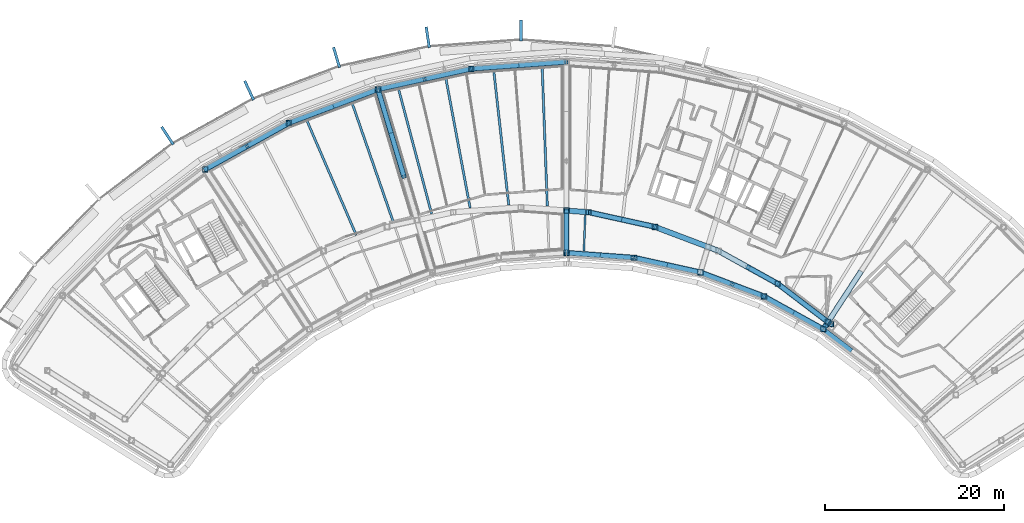
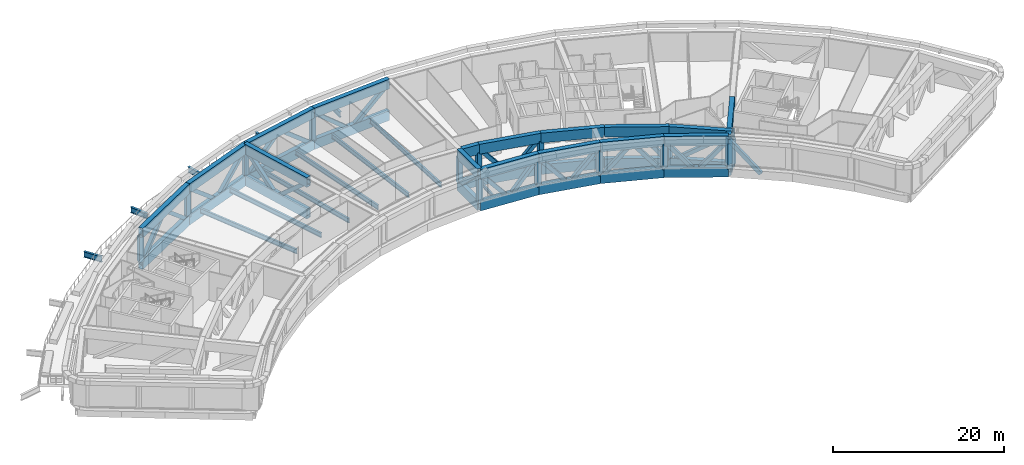
# One storey, part 3 of 24: 44 beams, 41 members.
"""IFC4 building model written with IfcOpenShell, lengths in metres."""

from ifc_helpers import new_model, si_unit, direction, frame, origin, origin_2d, place, context, subcontext, project, spatial, hollow_rectangle, i_section, extrude, material, material_profile, profile_set, type_object, element, save


model = new_model("IFC4")

# Units and contexts
model_context = context("Model", 3, precision=1e-05, world=origin(), true_north=direction((0.0, 1.0)))
body_context = subcontext(model_context, "Body", "Model", "MODEL_VIEW")
ifc_project = project(units=[si_unit("LENGTHUNIT", "METRE"), si_unit("AREAUNIT", "SQUARE_METRE"), si_unit("VOLUMEUNIT", "CUBIC_METRE"), si_unit("PLANEANGLEUNIT", "RADIAN"), si_unit("MASSUNIT", "GRAM", prefix="KILO")], contexts=[model_context])

# Site, building, storey
site_placement = place(None, origin())
site = spatial("IfcSite", under=ifc_project, at=site_placement, CompositionType="ELEMENT")
building_placement = place(site_placement, origin())
building = spatial("IfcBuilding", under=site, at=building_placement, Name="Tuul Gate Civic Tower", CompositionType="ELEMENT")
storey_placement = place(building_placement, frame((0.0, 0.0, 243.89990234375)))
storey = spatial("IfcBuildingStorey", under=building, at=storey_placement, Name="Plant and refuge floor 6", CompositionType="ELEMENT", Elevation=243.89990234375)

# Beams
ifc_material_1 = material(Name="Steel S355", Category="steel")
ifc_material_profile_1 = material_profile(ifc_material_1, i_section(OverallWidth=0.199951171875, OverallDepth=0.5, WebThickness=0.010009765625, FlangeThickness=0.01611328125, at=origin_2d()), Name="PG500x200x10x16")
ifc_profile_set_1 = profile_set([ifc_material_profile_1], Name="Steel S355")
beam_type_1 = type_object("IfcBeamType", Name="STR-FLOOR BEAM-PG500x200x10x16", PredefinedType="BEAM", material=ifc_profile_set_1)
beam_1_placement = place(storey_placement, frame((12.98388671875, -7.67236328125, -0.64990234375), z_axis=(0.036991407906, 0.999315583658, 0.0), x_axis=(-0.999315583658, 0.036991407906, 0.0)))
element("IfcBeam", 1, at=beam_1_placement, inside=storey, type_object=beam_type_1, Name="Floor beam", PredefinedType="BEAM", context=body_context, shape_type="SweptSolid", body=[
    extrude(i_section(OverallWidth=0.199951171875, OverallDepth=0.5, WebThickness=0.010009765625, FlangeThickness=0.01611328125, at=origin_2d()), origin(), (0.0, 0.0, 1.0), 4.0126953125),
])
ifc_material_2 = material(Name="Steel S355", Category="steel")
ifc_material_profile_2 = material_profile(ifc_material_2, i_section(OverallWidth=0.25, OverallDepth=0.64990234375, WebThickness=0.011962890625, FlangeThickness=0.02001953125, at=origin_2d()), Name="PG650x250x12x20")
ifc_profile_set_2 = profile_set([ifc_material_profile_2], Name="Steel S355")
beam_type_2 = type_object("IfcBeamType", Name="STR-FLOOR BEAM-PG650x250x12x20", PredefinedType="BEAM", material=ifc_profile_set_2)
beam_2_placement = place(storey_placement, frame((8.89208984375, -2.653076171875, -0.724853515625), z_axis=(-0.036988492548, 0.99931569157, 0.0), x_axis=(-0.99931569157, -0.036988492548, 0.0)))
element("IfcBeam", 2, at=beam_2_placement, inside=storey, type_object=beam_type_2, Name="Floor beam", PredefinedType="BEAM", context=body_context, shape_type="SweptSolid", body=[
    extrude(i_section(OverallWidth=0.25, OverallDepth=0.64990234375, WebThickness=0.011962890625, FlangeThickness=0.02001953125, at=origin_2d()), origin(), (0.0, 0.0, 1.0), 15.59033203125),
])
beam_3_placement = place(storey_placement, frame((4.578125, -2.537841796875, -0.724853515625), z_axis=(-0.11079020237, 0.99384381623, 0.0), x_axis=(-0.99384381623, -0.11079020237, 0.0)))
element("IfcBeam", 3, at=beam_3_placement, inside=storey, type_object=beam_type_2, Name="Floor beam", PredefinedType="BEAM", context=body_context, shape_type="SweptSolid", body=[
    extrude(i_section(OverallWidth=0.25, OverallDepth=0.64990234375, WebThickness=0.011962890625, FlangeThickness=0.02001953125, at=origin_2d()), origin(), (0.0, 0.0, 1.0), 15.165283203125),
])
beam_4_placement = place(storey_placement, frame((0.255126953125, -2.851318359375, -0.724853515625), z_axis=(-0.183977205779, 0.982930510135, 0.0), x_axis=(-0.982930510135, -0.183977205779, 0.0)))
element("IfcBeam", 4, at=beam_4_placement, inside=storey, type_object=beam_type_2, Name="Floor beam", PredefinedType="BEAM", context=body_context, shape_type="SweptSolid", body=[
    extrude(i_section(OverallWidth=0.25, OverallDepth=0.64990234375, WebThickness=0.011962890625, FlangeThickness=0.02001953125, at=origin_2d()), origin(), (0.0, 0.0, 1.0), 14.820068359375),
])
beam_5_placement = place(storey_placement, frame((-4.050048828125, -3.513427734375, -0.724853515625), z_axis=(-0.256148593325, 0.966637418135, 0.0), x_axis=(-0.966637418135, -0.256148593325, 0.0)))
element("IfcBeam", 5, at=beam_5_placement, inside=storey, type_object=beam_type_2, Name="Floor beam", PredefinedType="BEAM", context=body_context, shape_type="SweptSolid", body=[
    extrude(i_section(OverallWidth=0.25, OverallDepth=0.64990234375, WebThickness=0.011962890625, FlangeThickness=0.02001953125, at=origin_2d()), origin(), (0.0, 0.0, 1.0), 14.545654296875),
])
beam_6_placement = place(storey_placement, frame((-8.330322265625, -4.456787109375, -0.724853515625), z_axis=(-0.32692229075, 0.945051223908, 0.0), x_axis=(-0.945051223908, -0.32692229075, 0.0)))
element("IfcBeam", 6, at=beam_6_placement, inside=storey, type_object=beam_type_2, Name="Floor beam", PredefinedType="BEAM", context=body_context, shape_type="SweptSolid", body=[
    extrude(i_section(OverallWidth=0.25, OverallDepth=0.64990234375, WebThickness=0.011962890625, FlangeThickness=0.02001953125, at=origin_2d()), origin(), (0.0, 0.0, 1.0), 14.16357421875),
])
beam_7_placement = place(storey_placement, frame((-12.478271484375, -5.896728515625, -0.724853515625), z_axis=(-0.395910438174, 0.918289129275, 0.0), x_axis=(-0.918289129275, -0.395910438174, 0.0)))
element("IfcBeam", 7, at=beam_7_placement, inside=storey, type_object=beam_type_2, Name="Floor beam", PredefinedType="BEAM", context=body_context, shape_type="SweptSolid", body=[
    extrude(i_section(OverallWidth=0.25, OverallDepth=0.64990234375, WebThickness=0.011962890625, FlangeThickness=0.02001953125, at=origin_2d()), origin(), (0.0, 0.0, 1.0), 14.0517578125),
])
ifc_material_3 = material(Name="Steel S355", Category="steel")
ifc_material_profile_3 = material_profile(ifc_material_3, i_section(OverallWidth=0.300048828125, OverallDepth=0.800048828125, WebThickness=0.013916015625, FlangeThickness=0.02490234375, at=origin_2d()), Name="PG800x300x14x25")
ifc_profile_set_3 = profile_set([ifc_material_profile_3], Name="Steel S355")
beam_type_3 = type_object("IfcBeamType", Name="STR-FLOOR BEAM-PG800x300x14x25", PredefinedType="BEAM", material=ifc_profile_set_3)
beam_8_placement = place(storey_placement, frame((5.93994140625, 18.1650390625, -0.7998046875), z_axis=(0.0, -1.0, 0.0), x_axis=(1.0, 0.0, 0.0)))
element("IfcBeam", 8, at=beam_8_placement, inside=storey, type_object=beam_type_3, Name="Terrace beam", PredefinedType="BEAM", context=body_context, shape_type="SweptSolid", body=[
    extrude(i_section(OverallWidth=0.300048828125, OverallDepth=0.800048828125, WebThickness=0.013916015625, FlangeThickness=0.02490234375, at=origin_2d()), origin(), (0.0, 0.0, 1.0), 2.35595703125),
])
beam_9_placement = place(storey_placement, frame((-4.65234375, 17.398193359375, -0.7998046875), z_axis=(0.144104009925, -0.989562546949, 0.0), x_axis=(0.989562546949, 0.144104009925, 0.0)))
element("IfcBeam", 9, at=beam_9_placement, inside=storey, type_object=beam_type_3, Name="Terrace beam", PredefinedType="BEAM", context=body_context, shape_type="SweptSolid", body=[
    extrude(i_section(OverallWidth=0.300048828125, OverallDepth=0.800048828125, WebThickness=0.013916015625, FlangeThickness=0.02490234375, at=origin_2d()), origin(), (0.0, 0.0, 1.0), 2.356689453125),
])
beam_10_placement = place(storey_placement, frame((-15.02294921875, 15.112548828125, -0.7998046875), z_axis=(0.285474561583, -0.958386286781, 0.0), x_axis=(0.958386286781, 0.285474561583, 0.0)))
element("IfcBeam", 10, at=beam_10_placement, inside=storey, type_object=beam_type_3, Name="Terrace beam", PredefinedType="BEAM", context=body_context, shape_type="SweptSolid", body=[
    extrude(i_section(OverallWidth=0.300048828125, OverallDepth=0.800048828125, WebThickness=0.013916015625, FlangeThickness=0.02490234375, at=origin_2d()), origin(), (0.0, 0.0, 1.0), 2.356201171875),
])
beam_11_placement = place(storey_placement, frame((-24.955810546875, 11.35595703125, -0.7998046875), z_axis=(0.420496373115, -0.907294219202, 0.0), x_axis=(0.907294219202, 0.420496373115, 0.0)))
element("IfcBeam", 11, at=beam_11_placement, inside=storey, type_object=beam_type_3, Name="Terrace beam", PredefinedType="BEAM", context=body_context, shape_type="SweptSolid", body=[
    extrude(i_section(OverallWidth=0.300048828125, OverallDepth=0.800048828125, WebThickness=0.013916015625, FlangeThickness=0.02490234375, at=origin_2d()), origin(), (0.0, 0.0, 1.0), 2.356689453125),
])
beam_12_placement = place(storey_placement, frame((-34.244384765625, 6.2080078125, -0.7998046875), z_axis=(0.546713306293, -0.837319867626, 0.0), x_axis=(0.837319867626, 0.546713306293, 0.0)))
element("IfcBeam", 12, at=beam_12_placement, inside=storey, type_object=beam_type_3, Name="Terrace beam", PredefinedType="BEAM", context=body_context, shape_type="SweptSolid", body=[
    extrude(i_section(OverallWidth=0.300048828125, OverallDepth=0.800048828125, WebThickness=0.013916015625, FlangeThickness=0.02490234375, at=origin_2d()), origin(), (0.0, 0.0, 1.0), 2.3564453125),
])
ifc_material_4 = material(Name="Steel S460", Category="steel")
ifc_material_profile_4 = material_profile(ifc_material_4, hollow_rectangle(XDim=0.60009765625, YDim=1.39990234375, WallThickness=0.031982421875, at=origin_2d()), Name="BOX1400x600x32")
ifc_profile_set_4 = profile_set([ifc_material_profile_4], Name="Steel S460")
beam_type_4 = type_object("IfcBeamType", Name="STR-TRANSFER TRUSS CHORD-BOX1400x600x32", PredefinedType="BEAM", material=ifc_profile_set_4)
for number, where, z_axis, x_axis, name in (
    (13, (44.002197265625, -9.928466796875, -1.099853515625), (-0.546722323717, -0.837313979789, 0.0), (0.837313979789, -0.546722323717, 0.0), "Radial truss bottom chord"),
    (14, (44.002197265625, -9.928466796875, 3.400146484375), (-0.546722323717, -0.837313979789, 0.0), (0.837313979789, -0.546722323717, 0.0), "Radial truss top chord"),
):
    element("IfcBeam", number, at=place(storey_placement, frame(where, z_axis=z_axis, x_axis=x_axis)), inside=storey, type_object=beam_type_4, Name=name, PredefinedType="BEAM", context=body_context, shape_type="SweptSolid", body=[
        extrude(hollow_rectangle(XDim=0.60009765625, YDim=1.39990234375, WallThickness=0.031982421875, at=origin_2d()), origin(), (0.0, 0.0, 1.0), 7.7646484375),
    ])
for number, where, z_axis, x_axis, name in (
    (15, (-10.0458984375, 10.405029296875, -1.099853515625), (0.285193544802, -0.958469948409, 0.0), (0.958469948409, 0.285193544802, 0.0), "Radial truss bottom chord"),
    (16, (-10.0458984375, 10.405029296875, 3.400146484375), (0.285193544802, -0.958469948409, 0.0), (0.958469948409, 0.285193544802, 0.0), "Radial truss top chord"),
):
    element("IfcBeam", number, at=place(storey_placement, frame(where, z_axis=z_axis, x_axis=x_axis)), inside=storey, type_object=beam_type_4, Name=name, PredefinedType="BEAM", context=body_context, shape_type="SweptSolid", body=[
        extrude(hollow_rectangle(XDim=0.60009765625, YDim=1.39990234375, WallThickness=0.031982421875, at=origin_2d()), origin(), (0.0, 0.0, 1.0), 10.181884765625),
    ])
for number, where, z_axis, x_axis, name in (
    (17, (11.031005859375, -3.1591796875, -1.099853515625), (0.0, -1.0, 0.0), (1.0, 0.0, 0.0), "Radial truss bottom chord"),
    (18, (11.031005859375, -3.1591796875, 3.400146484375), (0.0, -1.0, 0.0), (1.0, 0.0, 0.0), "Radial truss top chord"),
):
    element("IfcBeam", number, at=place(storey_placement, frame(where, z_axis=z_axis, x_axis=x_axis)), inside=storey, type_object=beam_type_4, Name=name, PredefinedType="BEAM", context=body_context, shape_type="SweptSolid", body=[
        extrude(hollow_rectangle(XDim=0.60009765625, YDim=1.39990234375, WallThickness=0.031982421875, at=origin_2d()), origin(), (0.0, 0.0, 1.0), 4.722900390625),
    ])
for number, where, z_axis, x_axis, name in (
    (19, (11.031005859375, 13.47412109375, -1.099853515625), (-0.99738811518, -0.072228441058, 0.0), (0.072228441058, -0.99738811518, 0.0), "Belt truss bottom chord"),
    (20, (11.031005859375, 13.47412109375, 3.400146484375), (-0.99738811518, -0.072228441058, 0.0), (0.072228441058, -0.99738811518, 0.0), "Belt truss top chord"),
):
    element("IfcBeam", number, at=place(storey_placement, frame(where, z_axis=z_axis, x_axis=x_axis)), inside=storey, type_object=beam_type_4, Name=name, PredefinedType="BEAM", context=body_context, shape_type="SweptSolid", body=[
        extrude(hollow_rectangle(XDim=0.60009765625, YDim=1.39990234375, WallThickness=0.031982421875, at=origin_2d()), origin(), (0.0, 0.0, 1.0), 10.677734375),
    ])
for number, where, z_axis, x_axis, name in (
    (21, (-10.0458984375, 10.405029296875, -1.099853515625), (-0.935341677357, -0.353745595873, 0.0), (0.353745595873, -0.935341677357, 0.0), "Belt truss bottom chord"),
    (22, (-10.0458984375, 10.405029296875, 3.400146484375), (-0.935341677357, -0.353745595873, 0.0), (0.353745595873, -0.935341677357, 0.0), "Belt truss top chord"),
):
    element("IfcBeam", number, at=place(storey_placement, frame(where, z_axis=z_axis, x_axis=x_axis)), inside=storey, type_object=beam_type_4, Name=name, PredefinedType="BEAM", context=body_context, shape_type="SweptSolid", body=[
        extrude(hollow_rectangle(XDim=0.60009765625, YDim=1.39990234375, WallThickness=0.031982421875, at=origin_2d()), origin(), (0.0, 0.0, 1.0), 10.677490234375),
    ])
for number, where, z_axis, x_axis, name in (
    (23, (0.381103515625, 12.702880859375, -1.099853515625), (-0.976567537007, -0.215211165288, 0.0), (0.215211165288, -0.976567537007, 0.0), "Belt truss bottom chord"),
    (24, (0.381103515625, 12.702880859375, 3.400146484375), (-0.976567537007, -0.215211165288, 0.0), (0.215211165288, -0.976567537007, 0.0), "Belt truss top chord"),
):
    element("IfcBeam", number, at=place(storey_placement, frame(where, z_axis=z_axis, x_axis=x_axis)), inside=storey, type_object=beam_type_4, Name=name, PredefinedType="BEAM", context=body_context, shape_type="SweptSolid", body=[
        extrude(hollow_rectangle(XDim=0.60009765625, YDim=1.39990234375, WallThickness=0.031982421875, at=origin_2d()), origin(), (0.0, 0.0, 1.0), 10.67724609375),
    ])
for number, where, z_axis, x_axis, name in (
    (25, (-20.032958984375, 6.6279296875, -1.099853515625), (-0.874627142999, -0.484796205358, 0.0), (0.484796205358, -0.874627142999, 0.0), "Belt truss bottom chord"),
    (26, (-20.032958984375, 6.6279296875, 3.400146484375), (-0.874627142999, -0.484796205358, 0.0), (0.484796205358, -0.874627142999, 0.0), "Belt truss top chord"),
):
    element("IfcBeam", number, at=place(storey_placement, frame(where, z_axis=z_axis, x_axis=x_axis)), inside=storey, type_object=beam_type_4, Name=name, PredefinedType="BEAM", context=body_context, shape_type="SweptSolid", body=[
        extrude(hollow_rectangle(XDim=0.60009765625, YDim=1.39990234375, WallThickness=0.031982421875, at=origin_2d()), origin(), (0.0, 0.0, 1.0), 10.6767578125),
    ])
for number, where, z_axis, x_axis, name in (
    (27, (28.02587890625, -7.657958984375, -1.099853515625), (0.874593766126, -0.484856416121, 0.0), (0.484856416121, 0.874593766126, 0.0), "Belt truss bottom chord"),
    (28, (28.02587890625, -7.657958984375, 3.400146484375), (0.874593766126, -0.484856416121, 0.0), (0.484856416121, 0.874593766126, 0.0), "Belt truss top chord"),
):
    element("IfcBeam", number, at=place(storey_placement, frame(where, z_axis=z_axis, x_axis=x_axis)), inside=storey, type_object=beam_type_4, Name=name, PredefinedType="BEAM", context=body_context, shape_type="SweptSolid", body=[
        extrude(hollow_rectangle(XDim=0.60009765625, YDim=1.39990234375, WallThickness=0.031982421875, at=origin_2d()), origin(), (0.0, 0.0, 1.0), 7.59228515625),
    ])
for number, where, z_axis, x_axis, name in (
    (29, (18.60302734375, -8.429931640625, -1.099853515625), (0.976563150076, -0.215231070978, 0.0), (0.215231070978, 0.976563150076, 0.0), "Belt truss bottom chord"),
    (30, (18.60302734375, -8.429931640625, 3.400146484375), (0.976563150076, -0.215231070978, 0.0), (0.215231070978, 0.976563150076, 0.0), "Belt truss top chord"),
):
    element("IfcBeam", number, at=place(storey_placement, frame(where, z_axis=z_axis, x_axis=x_axis)), inside=storey, type_object=beam_type_4, Name=name, PredefinedType="BEAM", context=body_context, shape_type="SweptSolid", body=[
        extrude(hollow_rectangle(XDim=0.60009765625, YDim=1.39990234375, WallThickness=0.031982421875, at=origin_2d()), origin(), (0.0, 0.0, 1.0), 7.592041015625),
    ])
for number, where, z_axis, x_axis, name in (
    (31, (11.3310546875, -3.180908203125, -1.099853515625), (0.997379310872, -0.072349915308, 0.0), (0.072349915308, 0.997379310872, 0.0), "Belt truss bottom chord"),
    (32, (11.3310546875, -3.180908203125, 3.400146484375), (0.997379310872, -0.072349915308, 0.0), (0.072349915308, 0.997379310872, 0.0), "Belt truss top chord"),
):
    element("IfcBeam", number, at=place(storey_placement, frame(where, z_axis=z_axis, x_axis=x_axis)), inside=storey, type_object=beam_type_4, Name=name, PredefinedType="BEAM", context=body_context, shape_type="SweptSolid", body=[
        extrude(hollow_rectangle(XDim=0.60009765625, YDim=1.39990234375, WallThickness=0.031982421875, at=origin_2d()), origin(), (0.0, 0.0, 1.0), 2.1865234375),
    ])
for number, where, z_axis, x_axis, name in (
    (33, (11.031005859375, -7.882080078125, -1.099853515625), (0.997392819349, -0.072163452736, 0.0), (0.072163452736, 0.997392819349, 0.0), "Belt truss bottom chord"),
    (34, (11.031005859375, -7.882080078125, 3.400146484375), (0.997392819349, -0.072163452736, 0.0), (0.072163452736, 0.997392819349, 0.0), "Belt truss top chord"),
):
    element("IfcBeam", number, at=place(storey_placement, frame(where, z_axis=z_axis, x_axis=x_axis)), inside=storey, type_object=beam_type_4, Name=name, PredefinedType="BEAM", context=body_context, shape_type="SweptSolid", body=[
        extrude(hollow_rectangle(XDim=0.60009765625, YDim=1.39990234375, WallThickness=0.031982421875, at=origin_2d()), origin(), (0.0, 0.0, 1.0), 7.591796875),
    ])
for number, where, z_axis, x_axis, name in (
    (35, (26.01708984375, -10.06396484375, -1.099853515625), (0.935362186019, -0.353691363996, 0.0), (0.353691363996, 0.935362186019, 0.0), "Belt truss bottom chord"),
    (36, (26.01708984375, -10.06396484375, 3.400146484375), (0.935362186019, -0.353691363996, 0.0), (0.353691363996, 0.935362186019, 0.0), "Belt truss top chord"),
    (37, (20.925048828125, -4.972900390625, -1.099853515625), (0.935362186019, -0.353691363996, 0.0), (0.353691363996, 0.935362186019, 0.0), "Belt truss bottom chord"),
    (38, (20.925048828125, -4.972900390625, 3.400146484375), (0.935362186019, -0.353691363996, 0.0), (0.353691363996, 0.935362186019, 0.0), "Belt truss top chord"),
):
    element("IfcBeam", number, at=place(storey_placement, frame(where, z_axis=z_axis, x_axis=x_axis)), inside=storey, type_object=beam_type_4, Name=name, PredefinedType="BEAM", context=body_context, shape_type="SweptSolid", body=[
        extrude(hollow_rectangle(XDim=0.60009765625, YDim=1.39990234375, WallThickness=0.031982421875, at=origin_2d()), origin(), (0.0, 0.0, 1.0), 7.591552734375),
    ])
for number, where, z_axis, x_axis, name in (
    (39, (34.666015625, -11.339111328125, -1.099853515625), (0.795621890989, -0.605793534613, 0.0), (0.605793534613, 0.795621890989, 0.0), "Belt truss bottom chord"),
    (40, (34.666015625, -11.339111328125, 3.400146484375), (0.795621890989, -0.605793534613, 0.0), (0.605793534613, 0.795621890989, 0.0), "Belt truss top chord"),
):
    element("IfcBeam", number, at=place(storey_placement, frame(where, z_axis=z_axis, x_axis=x_axis)), inside=storey, type_object=beam_type_4, Name=name, PredefinedType="BEAM", context=body_context, shape_type="SweptSolid", body=[
        extrude(hollow_rectangle(XDim=0.60009765625, YDim=1.39990234375, WallThickness=0.031982421875, at=origin_2d()), origin(), (0.0, 0.0, 1.0), 7.48388671875),
    ])
for number, where, z_axis, x_axis, name in (
    (41, (33.117919921875, -12.7490234375, -1.099853515625), (0.874577161364, -0.484886366915, 0.0), (0.484886366915, 0.874577161364, 0.0), "Belt truss bottom chord"),
    (42, (33.117919921875, -12.7490234375, 3.400146484375), (0.874577161364, -0.484886366915, 0.0), (0.484886366915, 0.874577161364, 0.0), "Belt truss top chord"),
):
    element("IfcBeam", number, at=place(storey_placement, frame(where, z_axis=z_axis, x_axis=x_axis)), inside=storey, type_object=beam_type_4, Name=name, PredefinedType="BEAM", context=body_context, shape_type="SweptSolid", body=[
        extrude(hollow_rectangle(XDim=0.60009765625, YDim=1.39990234375, WallThickness=0.031982421875, at=origin_2d()), origin(), (0.0, 0.0, 1.0), 7.59130859375),
    ])
for number, where, z_axis, x_axis, name in (
    (43, (13.511962890625, -3.339111328125, -1.099853515625), (0.976563950549, -0.215227438976, 0.0), (0.215227438976, 0.976563950549, 0.0), "Belt truss bottom chord"),
    (44, (13.511962890625, -3.339111328125, 3.400146484375), (0.976563950549, -0.215227438976, 0.0), (0.215227438976, 0.976563950549, 0.0), "Belt truss top chord"),
):
    element("IfcBeam", number, at=place(storey_placement, frame(where, z_axis=z_axis, x_axis=x_axis)), inside=storey, type_object=beam_type_4, Name=name, PredefinedType="BEAM", context=body_context, shape_type="SweptSolid", body=[
        extrude(hollow_rectangle(XDim=0.60009765625, YDim=1.39990234375, WallThickness=0.031982421875, at=origin_2d()), origin(), (0.0, 0.0, 1.0), 7.591064453125),
    ])

# Members
ifc_material_5 = material(Name="Steel S355", Category="steel")
ifc_material_profile_5 = material_profile(ifc_material_5, hollow_rectangle(XDim=0.5, YDim=0.5, WallThickness=0.02001953125, at=origin_2d()), Name="BOX500x500x20")
ifc_profile_set_5 = profile_set([ifc_material_profile_5], Name="Steel S355")
member_type_1 = type_object("IfcMemberType", Name="STR-TRANSFER TRUSS DIAGONAL-BOX500x500x20", PredefinedType="BRACE", material=ifc_profile_set_5)
member_1_placement = place(storey_placement, frame((39.75634765625, -16.430908203125, -1.104736328125), z_axis=(0.115107675975, 0.176233821148, 0.977594938211), x_axis=(-0.83723526704, 0.546842854598, 0.0)))
element("IfcMember", 45, at=member_1_placement, inside=storey, type_object=member_type_1, Name="Radial truss web", PredefinedType="BRACE", context=body_context, shape_type="SweptSolid", body=[
    extrude(hollow_rectangle(XDim=0.5, YDim=0.5, WallThickness=0.02001953125, at=origin_2d()), origin(), (0.0, 0.0, 1.0), 4.613037109375),
])
member_2_placement = place(storey_placement, frame((-8.593017578125, 5.52197265625, -1.103271484375), z_axis=(-0.213691092331, 0.718139842864, 0.662277346094), x_axis=(-0.958467039251, -0.285203321632, 0.0)))
element("IfcMember", 46, at=member_2_placement, inside=storey, type_object=member_type_1, Name="Radial truss web", PredefinedType="BRACE", context=body_context, shape_type="SweptSolid", body=[
    extrude(hollow_rectangle(XDim=0.5, YDim=0.5, WallThickness=0.02001953125, at=origin_2d()), origin(), (0.0, 0.0, 1.0), 6.8046875),
])
member_3_placement = place(storey_placement, frame((-8.594970703125, 5.529052734375, -1.103271484375), z_axis=(0.213696598292, -0.718122467228, 0.66229441032), x_axis=(0.958463143968, 0.285216411965, 0.0)))
element("IfcMember", 47, at=member_3_placement, inside=storey, type_object=member_type_1, Name="Radial truss web", PredefinedType="BRACE", context=body_context, shape_type="SweptSolid", body=[
    extrude(hollow_rectangle(XDim=0.5, YDim=0.5, WallThickness=0.02001953125, at=origin_2d()), origin(), (0.0, 0.0, 1.0), 6.804443359375),
])
member_4_placement = place(storey_placement, frame((11.031005859375, -3.155517578125, -1.103271484375), z_axis=(0.0, -0.723977951131, 0.689823112309), x_axis=(1.0, 0.0, 0.0)))
element("IfcMember", 48, at=member_4_placement, inside=storey, type_object=member_type_1, Name="Radial truss web", PredefinedType="BRACE", context=body_context, shape_type="SweptSolid", body=[
    extrude(hollow_rectangle(XDim=0.5, YDim=0.5, WallThickness=0.02001953125, at=origin_2d()), origin(), (0.0, 0.0, 1.0), 6.533203125),
])
member_5_placement = place(storey_placement, frame((5.7021484375, 13.088134765625, -1.10302734375), z_axis=(0.762643184725, 0.055235156262, 0.644456709411), x_axis=(-0.072236737066, 0.997387514368, 0.0)))
element("IfcMember", 49, at=member_5_placement, inside=storey, type_object=member_type_1, Name="Belt truss web", PredefinedType="BRACE", context=body_context, shape_type="SweptSolid", body=[
    extrude(hollow_rectangle(XDim=0.5, YDim=0.5, WallThickness=0.02001953125, at=origin_2d()), origin(), (0.0, 0.0, 1.0), 6.992431640625),
])
member_6_placement = place(storey_placement, frame((5.709716796875, 13.0888671875, -1.10302734375), z_axis=(-0.762628576665, -0.055236627062, 0.644473869979), x_axis=(0.072240027047, -0.997387276083, 0.0)))
element("IfcMember", 50, at=member_6_placement, inside=storey, type_object=member_type_1, Name="Belt truss web", PredefinedType="BRACE", context=body_context, shape_type="SweptSolid", body=[
    extrude(hollow_rectangle(XDim=0.5, YDim=0.5, WallThickness=0.02001953125, at=origin_2d()), origin(), (0.0, 0.0, 1.0), 6.9921875),
])
member_7_placement = place(storey_placement, frame((-15.04296875, 8.51513671875, -1.10302734375), z_axis=(0.715170631674, 0.270467323159, 0.64449856066), x_axis=(-0.353734461939, 0.935345888127, 0.0)))
element("IfcMember", 51, at=member_7_placement, inside=storey, type_object=member_type_1, Name="Belt truss web", PredefinedType="BRACE", context=body_context, shape_type="SweptSolid", body=[
    extrude(hollow_rectangle(XDim=0.5, YDim=0.5, WallThickness=0.02001953125, at=origin_2d()), origin(), (0.0, 0.0, 1.0), 6.991943359375),
])
for number, where, z_axis, x_axis, name in (
    (52, (-15.035888671875, 8.517822265625, -1.10302734375), (-0.715187689087, -0.270460569236, 0.644482466687), (0.353719353059, -0.935351601951, 0.0), "Belt truss web"),
    (53, (0.384765625, 12.703857421875, -1.10302734375), (-0.746692629504, -0.164562186713, 0.644491585475), (0.215223296771, -0.976564863451, 0.0), "Belt truss web"),
    (54, (-10.0498046875, 10.404296875, -1.10302734375), (0.746692629504, 0.164562186713, 0.644491585475), (-0.215223296771, 0.976564863451, 0.0), "Belt truss web"),
):
    element("IfcMember", number, at=place(storey_placement, frame(where, z_axis=z_axis, x_axis=x_axis)), inside=storey, type_object=member_type_1, Name=name, PredefinedType="BRACE", context=body_context, shape_type="SweptSolid", body=[
        extrude(hollow_rectangle(XDim=0.5, YDim=0.5, WallThickness=0.02001953125, at=origin_2d()), origin(), (0.0, 0.0, 1.0), 6.9921875),
    ])
member_8_placement = place(storey_placement, frame((-20.029541015625, 6.6298828125, -1.10302734375), z_axis=(-0.668736801701, -0.370682429347, 0.644504171146), x_axis=(0.484805185284, -0.874622165464, 0.0)))
element("IfcMember", 55, at=member_8_placement, inside=storey, type_object=member_type_1, Name="Belt truss web", PredefinedType="BRACE", context=body_context, shape_type="SweptSolid", body=[
    extrude(hollow_rectangle(XDim=0.5, YDim=0.5, WallThickness=0.02001953125, at=origin_2d()), origin(), (0.0, 0.0, 1.0), 6.991943359375),
])
member_9_placement = place(storey_placement, frame((-29.374267578125, 1.4501953125, -1.10302734375), z_axis=(0.66872615457, 0.37066096448, 0.644527563107), x_axis=(-0.484789614278, 0.87463079633, 0.0)))
element("IfcMember", 56, at=member_9_placement, inside=storey, type_object=member_type_1, Name="Belt truss web", PredefinedType="BRACE", context=body_context, shape_type="SweptSolid", body=[
    extrude(hollow_rectangle(XDim=0.5, YDim=0.5, WallThickness=0.02001953125, at=origin_2d()), origin(), (0.0, 0.0, 1.0), 6.99169921875),
])
for number, where, z_axis, x_axis, name in (
    (57, (42.780029296875, -18.7314453125, -1.103759765625), (-0.513050918323, 0.390594320534, 0.7643394743), (-0.605747217095, -0.795657155427, 0.0), "Belt truss web"),
    (58, (34.668701171875, -11.340576171875, -1.103759765625), (-0.563908179161, 0.31265212312, 0.764366545176), (-0.484895886136, -0.874571883614, 0.0), "Belt truss web"),
    (59, (22.313232421875, -9.247802734375, -1.103759765625), (-0.629680568764, 0.138811239123, 0.764351896193), (-0.21527819927, -0.976552761974, 0.0), "Belt truss web"),
    (60, (22.306884765625, -9.246337890625, -1.103759765625), (0.629684186818, -0.138770637358, 0.764356288048), (0.215216968894, 0.976566258018, 0.0), "Belt truss web"),
    (61, (14.8203125, -8.15625, -1.103759765625), (-0.643103900145, 0.046533332288, 0.764363802521), (-0.07216873307, -0.997392437292, 0.0), "Belt truss web"),
    (62, (14.813720703125, -8.15576171875, -1.103759765625), (0.643103900145, -0.046533332288, 0.764363802521), (0.07216873307, 0.997392437292, 0.0), "Belt truss web"),
    (63, (26.013916015625, -10.062744140625, -1.103759765625), (0.603108022903, -0.228069885926, 0.764359103985), (0.35371145216, 0.935354589774, 0.0), "Belt truss web"),
    (64, (33.12109375, -12.750244140625, -1.103759765625), (-0.603108022903, 0.228069885926, 0.764359103985), (-0.35371145216, -0.935354589774, 0.0), "Belt truss web"),
):
    element("IfcMember", number, at=place(storey_placement, frame(where, z_axis=z_axis, x_axis=x_axis)), inside=storey, type_object=member_type_1, Name=name, PredefinedType="BRACE", context=body_context, shape_type="SweptSolid", body=[
        extrude(hollow_rectangle(XDim=0.5, YDim=0.5, WallThickness=0.02001953125, at=origin_2d()), origin(), (0.0, 0.0, 1.0), 5.897216796875),
    ])
member_10_placement = place(storey_placement, frame((34.66259765625, -11.33642578125, -1.1025390625), z_axis=(0.671042658911, -0.510953132605, 0.537241701846), x_axis=(0.605805036769, 0.795613133014, 0.0)))
element("IfcMember", 65, at=member_10_placement, inside=storey, type_object=member_type_1, Name="Belt truss web", PredefinedType="BRACE", context=body_context, shape_type="SweptSolid", body=[
    extrude(hollow_rectangle(XDim=0.5, YDim=0.5, WallThickness=0.02001953125, at=origin_2d()), origin(), (0.0, 0.0, 1.0), 8.38623046875),
])
member_11_placement = place(storey_placement, frame((40.62060546875, -15.873046875, -1.10498046875), z_axis=(-0.073788613119, 0.05621732906, 0.995688130133), x_axis=(-0.606025708861, -0.795445057939, 0.0)))
element("IfcMember", 66, at=member_11_placement, inside=storey, type_object=member_type_1, Name="Belt truss web", PredefinedType="BRACE", context=body_context, shape_type="SweptSolid", body=[
    extrude(hollow_rectangle(XDim=0.5, YDim=0.5, WallThickness=0.02001953125, at=origin_2d()), origin(), (0.0, 0.0, 1.0), 4.529541015625),
])
for number, where, z_axis, x_axis, name in (
    (67, (36.4404296875, -14.591064453125, -1.103759765625), (-0.563887241851, 0.312622067784, 0.764394283869), (-0.484874002141, -0.874584016575, 0.0), "Belt truss web"),
    (68, (36.4345703125, -14.587890625, -1.103759765625), (0.56387994312, -0.312659422206, 0.764384389855), (0.484923116357, 0.874556785591, 0.0), "Belt truss web"),
    (69, (17.2216796875, -4.15673828125, -1.103759765625), (-0.629634214069, 0.138777872538, 0.764396139818), (-0.215243960819, -0.976560309111, 0.0), "Belt truss web"),
    (70, (17.21533203125, -4.1552734375, -1.103759765625), (0.629634214069, -0.138777872538, 0.764396139818), (0.215243960819, 0.976560309111, 0.0), "Belt truss web"),
):
    element("IfcMember", number, at=place(storey_placement, frame(where, z_axis=z_axis, x_axis=x_axis)), inside=storey, type_object=member_type_1, Name=name, PredefinedType="BRACE", context=body_context, shape_type="SweptSolid", body=[
        extrude(hollow_rectangle(XDim=0.5, YDim=0.5, WallThickness=0.02001953125, at=origin_2d()), origin(), (0.0, 0.0, 1.0), 5.89697265625),
    ])
ifc_material_6 = material(Name="Steel S355", Category="steel")
ifc_material_profile_6 = material_profile(ifc_material_6, hollow_rectangle(XDim=0.60009765625, YDim=0.60009765625, WallThickness=0.028076171875, at=origin_2d()), Name="BOX600x600x28")
ifc_profile_set_6 = profile_set([ifc_material_profile_6], Name="Steel S355")
member_type_2 = type_object("IfcMemberType", Name="STR-TRUSS POST-BOX600x600x28", PredefinedType="POST", material=ifc_profile_set_6)
for number, where, z_axis, x_axis, name in (
    (71, (40.28662109375, -15.61865234375, -0.64501953125), (0.0, 0.0, 1.0), (1.0, 0.0, 0.0), "Radial truss post"),
    (72, (39.757080078125, -16.429931640625, -0.64501953125), (0.0, 0.0, 1.0), (1.0, 0.0, 0.0), "Radial truss post"),
    (73, (-10.0458984375, 10.405029296875, -0.64501953125), (0.0, 0.0, 1.0), (1.0, 0.0, 0.0), "Radial truss post"),
    (74, (26.01708984375, -10.06396484375, -0.64501953125), (0.0, 0.0, 1.0), (1.0, 0.0, 0.0), "Radial truss post"),
    (75, (11.031005859375, -3.1591796875, -0.64501953125), (0.0, 0.0, 1.0), (1.0, 0.0, 0.0), "Radial truss post"),
    (76, (11.031005859375, -7.882080078125, -0.64501953125), (0.0, 0.0, 1.0), (1.0, 0.0, 0.0), "Radial truss post"),
    (77, (-29.37109375, 1.451904296875, -0.64501953125), (0.0, 0.0, 1.0), (1.0, 0.0, 0.0), "Radial truss post"),
    (78, (0.381103515625, 12.702880859375, -0.64501953125), (0.0, 0.0, 1.0), (1.0, 0.0, 0.0), "Belt truss post"),
    (79, (-20.032958984375, 6.6279296875, -0.64501953125), (0.0, 0.0, 1.0), (1.0, 0.0, 0.0), "Belt truss post"),
    (80, (34.666015625, -11.339111328125, -0.64501953125), (0.0, 0.0, 1.0), (1.0, 0.0, 0.0), "Belt truss post"),
    (81, (18.60302734375, -8.429931640625, -0.64501953125), (0.0, 0.0, 1.0), (1.0, 0.0, 0.0), "Belt truss post"),
    (82, (13.511962890625, -3.339111328125, -0.64501953125), (0.0, 0.0, 1.0), (1.0, 0.0, 0.0), "Belt truss post"),
    (83, (33.117919921875, -12.7490234375, -0.64501953125), (0.0, 0.0, 1.0), (1.0, 0.0, 0.0), "Belt truss post"),
    (84, (20.925048828125, -4.972900390625, -0.64501953125), (0.0, 0.0, 1.0), (1.0, 0.0, 0.0), "Belt truss post"),
    (85, (40.620361328125, -15.872802734375, -0.64501953125), (0.0, 0.0, 1.0), (1.0, 0.0, 0.0), "Belt truss post"),
):
    element("IfcMember", number, at=place(storey_placement, frame(where, z_axis=z_axis, x_axis=x_axis)), inside=storey, type_object=member_type_2, Name=name, PredefinedType="POST", context=body_context, shape_type="SweptSolid", body=[
        extrude(hollow_rectangle(XDim=0.60009765625, YDim=0.60009765625, WallThickness=0.028076171875, at=origin_2d()), origin(), (0.0, 0.0, 1.0), 3.590087890625),
    ])

save(model, "model.ifc")
